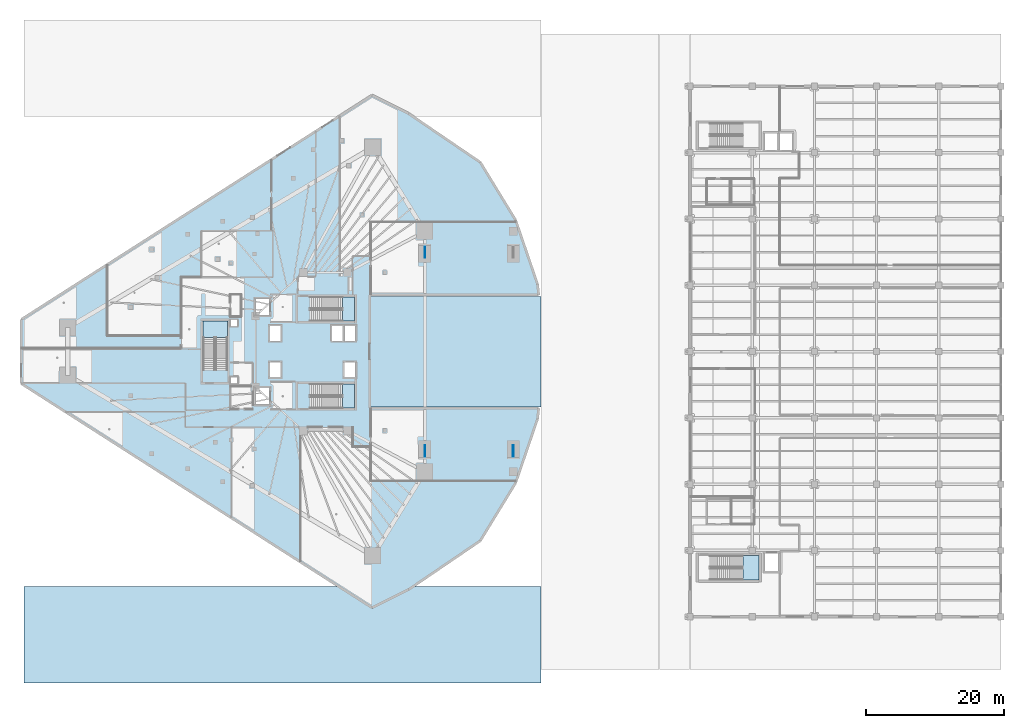
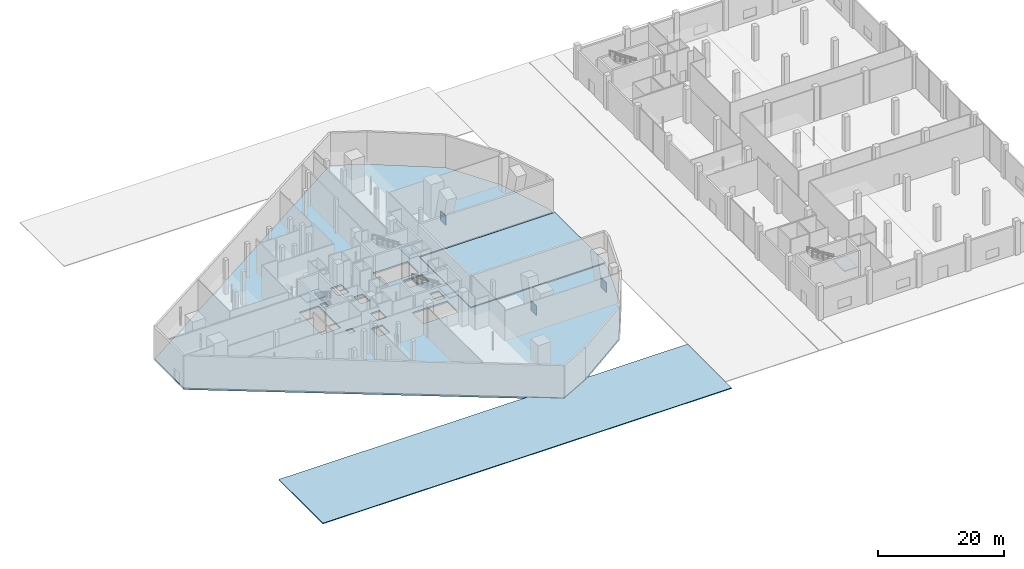
# One storey, part 23 of 45: 7 slabs, 3 plates, 4 elements without a shape of their own.
"""IFC4 building model written with IfcOpenShell, lengths in metres."""

from ifc_helpers import new_model, si_unit, direction, frame, origin, origin_2d, place, context, subcontext, project, spatial, polyline, rectangle, outline, extrude, material, layer, layer_set, type_object, element, aggregate, save


model = new_model("IFC4")

# Units and contexts
model_context = context("Model", 3, precision=1e-05, world=origin(), true_north=direction((0.0, 1.0)))
body_context = subcontext(model_context, "Body", "Model", "MODEL_VIEW")
ifc_project = project(units=[si_unit("LENGTHUNIT", "METRE"), si_unit("AREAUNIT", "SQUARE_METRE"), si_unit("VOLUMEUNIT", "CUBIC_METRE"), si_unit("PLANEANGLEUNIT", "RADIAN"), si_unit("MASSUNIT", "GRAM", prefix="KILO")], contexts=[model_context])

# Site, building, storey
site_placement = place(None, origin())
site = spatial("IfcSite", under=ifc_project, at=site_placement, CompositionType="ELEMENT")
building_placement = place(site_placement, origin())
building = spatial("IfcBuilding", under=site, at=building_placement, Name="Qorvath Tower", CompositionType="ELEMENT")
storey_placement = place(building_placement, origin())
storey = spatial("IfcBuildingStorey", under=building, at=storey_placement, Name="L00", CompositionType="ELEMENT", Elevation=0.0)

# Plates
ifc_material_1 = material(Name="Steel ASTM A572 Grade 50", Category="steel")
ifc_layer_1 = layer(ifc_material_1, 0.080078125)
ifc_layer_set_1 = layer_set([ifc_layer_1], Name="PL-AN1")
plate_type = type_object("IfcPlateType", Name="PL-AN1", PredefinedType="USERDEFINED", material=ifc_layer_set_1)
for number, where, z_axis, x_axis, name in (
    (1, (6.800048828125, -14.39990234375, 0.0), (0.0, 0.0, 1.0), (0.0, 1.0, 0.0), "Arch Haunch Node Gusset Plate ARCH-FRONT-S-L00"),
    (2, (-6.0, 14.39990234375, 0.0), (0.0, 0.0, 1.0), (0.0, 1.0, 0.0), "Arch Haunch Node Gusset Plate ARCH-INNER-N-L00"),
    (3, (-6.0, -14.39990234375, 0.0), (0.0, 0.0, 1.0), (0.0, 1.0, 0.0), "Arch Haunch Node Gusset Plate ARCH-INNER-S-L00"),
):
    element("IfcPlate", number, at=place(storey_placement, frame(where, z_axis=z_axis, x_axis=x_axis)), inside=storey, type_object=plate_type, Name=name, ObjectType="GUSSET", PredefinedType="USERDEFINED", context=body_context, shape_type="SweptSolid", body=[
        extrude(rectangle(XDim=1.60009765625, YDim=0.080078125, at=origin_2d()), origin(), (0.0, 0.0, 1.0), 1.800048828125),
    ])

# Slab
ifc_material_2 = material(Name="Concrete C50/60", Category="concrete")
ifc_layer_2 = layer(ifc_material_2, 0.300048828125)
ifc_layer_set_2 = layer_set([ifc_layer_2], Name="SL-L00-300")
slab_type_1 = type_object("IfcSlabType", Name="SL-L00-300", PredefinedType="FLOOR", material=ifc_layer_set_2)
slab_1_placement = place(storey_placement, frame((0.0, 0.0, -0.300048828125)))
element("IfcSlab", 4, at=slab_1_placement, inside=storey, type_object=slab_type_1, Name="Tower L00 Floor Slab", PredefinedType="FLOOR", context=body_context, shape_type="SweptSolid", body=[
    extrude(outline(polyline([(10.3125, -9.748779296875), (10.483154296875, -8.199951171875), (-14.0, -8.199951171875), (-14.0, 8.199951171875), (10.483154296875, 8.199951171875), (10.3125, 9.748779296875), (7.139404296875, 19.029052734375), (2.0205078125, 27.39501953125), (-8.3359375, 34.44482421875), (-13.63525390625, 37.094482421875), (-64.419189453125, 4.63671875), (-64.419189453125, -4.63671875), (-13.63525390625, -37.094482421875), (-8.3359375, -34.44482421875), (2.0205078125, -27.39501953125), (7.139404296875, -19.029052734375), (10.3125, -9.748779296875)]), holes=[polyline([(-17.64990234375, -3.699951171875), (-17.64990234375, -1.550048828125), (-16.050048828125, -1.550048828125), (-16.050048828125, -3.699951171875), (-17.64990234375, -3.699951171875)]), polyline([(-17.64990234375, 1.550048828125), (-17.64990234375, 3.699951171875), (-16.050048828125, 3.699951171875), (-16.050048828125, 1.550048828125), (-17.64990234375, 1.550048828125)]), polyline([(-16.2451171875, -8.199951171875), (-22.625, -8.199951171875), (-22.625, -4.68994140625), (-16.2451171875, -4.68994140625), (-16.2451171875, -8.199951171875)]), polyline([(-22.625, 4.39990234375), (-22.625, 7.909912109375), (-16.2451171875, 7.909912109375), (-16.2451171875, 4.39990234375), (-22.625, 4.39990234375)]), polyline([(-17.85009765625, 1.550048828125), (-19.449951171875, 1.550048828125), (-19.449951171875, 3.699951171875), (-17.85009765625, 3.699951171875), (-17.85009765625, 1.550048828125)]), polyline([(-28.449951171875, -3.699951171875), (-28.449951171875, -1.550048828125), (-26.85009765625, -1.550048828125), (-26.85009765625, -3.699951171875), (-28.449951171875, -3.699951171875)]), polyline([(-26.85009765625, 1.550048828125), (-28.449951171875, 1.550048828125), (-28.449951171875, 3.699951171875), (-26.85009765625, 3.699951171875), (-26.85009765625, 1.550048828125)]), polyline([(-28.5, -7.64990234375), (-30.5, -7.64990234375), (-30.5, -5.25), (-28.5, -5.25), (-28.5, -7.64990234375)]), polyline([(-30.5, 5.25), (-30.5, 7.64990234375), (-28.5, 7.64990234375), (-28.5, 5.25), (-30.5, 5.25)]), polyline([(-34.14990234375, -4.6201171875), (-34.14990234375, -3.64990234375), (-33.10009765625, -3.64990234375), (-33.10009765625, -4.6201171875), (-34.14990234375, -4.6201171875)]), polyline([(-34.14990234375, 3.64990234375), (-34.14990234375, 4.6201171875), (-33.10009765625, 4.6201171875), (-33.10009765625, 3.64990234375), (-34.14990234375, 3.64990234375)]), polyline([(-34.60009765625, -2.675048828125), (-38.110107421875, -2.675048828125), (-38.110107421875, 4.35498046875), (-34.60009765625, 4.35498046875), (-34.60009765625, -2.675048828125)])]), origin(), (0.0, 0.0, 1.0), 0.300048828125),
])

# Stair, slab
ifc_material_3 = material(Name="Concrete C50/60", Category="concrete")
stair_type = type_object("IfcStairType", Name="ST-H660", PredefinedType="HALF_TURN_STAIR", material=ifc_material_3)
stair_1_placement = place(storey_placement, origin())
stair_1 = element("IfcStair", 5, at=stair_1_placement, inside=storey, type_object=stair_type, Name="L00 Library Exit Stair 2", PredefinedType="HALF_TURN_STAIR")
ifc_material_4 = material(Name="Concrete C50/60", Category="concrete")
ifc_layer_3 = layer(ifc_material_4, 0.199951171875)
ifc_layer_set_3 = layer_set([ifc_layer_3], Name="SL-LND-200")
slab_type_2 = type_object("IfcSlabType", Name="SL-LND-200", PredefinedType="LANDING", material=ifc_layer_set_3)
slab_2_placement = place(storey_placement, frame((0.0, 0.0, 3.10009765625)))
slab_2 = element("IfcSlab", 6, at=slab_2_placement, type_object=slab_type_2, Name="LS2 landing 1", PredefinedType="LANDING", context=body_context, shape_type="SweptSolid", body=[
    extrude(outline(polyline([(40.0400390625, -33.050048828125), (42.39990234375, -33.050048828125), (42.39990234375, -29.5400390625), (40.0400390625, -29.5400390625), (40.0400390625, -33.050048828125)])), origin(), (0.0, 0.0, 1.0), 0.199951171875),
])
aggregate(stair_1, [slab_2])

stair_2_placement = place(storey_placement, origin())
stair_2 = element("IfcStair", 7, at=stair_2_placement, inside=storey, type_object=stair_type, Name="L00 Tower Exit Stair 1", PredefinedType="HALF_TURN_STAIR")
slab_3_placement = place(storey_placement, frame((0.0, 0.0, 3.10009765625)))
slab_3 = element("IfcSlab", 8, at=slab_3_placement, type_object=slab_type_2, Name="TS1 landing 1", PredefinedType="LANDING", context=body_context, shape_type="SweptSolid", body=[
    extrude(outline(polyline([(-17.909912109375, 4.39990234375), (-16.199951171875, 4.39990234375), (-16.199951171875, 7.909912109375), (-17.909912109375, 7.909912109375), (-17.909912109375, 4.39990234375)])), origin(), (0.0, 0.0, 1.0), 0.199951171875),
])
aggregate(stair_2, [slab_3])

stair_3_placement = place(storey_placement, origin())
stair_3 = element("IfcStair", 9, at=stair_3_placement, inside=storey, type_object=stair_type, Name="L00 Tower Exit Stair 2", PredefinedType="HALF_TURN_STAIR")
slab_4_placement = place(storey_placement, frame((0.0, 0.0, 3.10009765625)))
slab_4 = element("IfcSlab", 10, at=slab_4_placement, type_object=slab_type_2, Name="TS2 landing 1", PredefinedType="LANDING", context=body_context, shape_type="SweptSolid", body=[
    extrude(outline(polyline([(-17.909912109375, -8.199951171875), (-16.199951171875, -8.199951171875), (-16.199951171875, -4.68994140625), (-17.909912109375, -4.68994140625), (-17.909912109375, -8.199951171875)])), origin(), (0.0, 0.0, 1.0), 0.199951171875),
])
aggregate(stair_3, [slab_4])

stair_4_placement = place(storey_placement, origin())
stair_4 = element("IfcStair", 11, at=stair_4_placement, inside=storey, type_object=stair_type, Name="L00 Tower Exit Stair 3", PredefinedType="HALF_TURN_STAIR")
slab_5_placement = place(storey_placement, frame((0.0, 0.0, 3.10009765625)))
slab_5 = element("IfcSlab", 12, at=slab_5_placement, type_object=slab_type_2, Name="TS3 landing 1", PredefinedType="LANDING", context=body_context, shape_type="SweptSolid", body=[
    extrude(outline(polyline([(-34.60009765625, 2.0400390625), (-34.60009765625, 4.39990234375), (-38.110107421875, 4.39990234375), (-38.110107421875, 2.0400390625), (-34.60009765625, 2.0400390625)])), origin(), (0.0, 0.0, 1.0), 0.199951171875),
])
aggregate(stair_4, [slab_5])

# Slabs
ifc_material_5 = material(Name="Concrete C45/55", Category="concrete")
ifc_layer_4 = layer(ifc_material_5, 0.14990234375)
ifc_layer_set_4 = layer_set([ifc_layer_4], Name="SL-PAV-150")
slab_type_3 = type_object("IfcSlabType", Name="SL-PAV-150", PredefinedType="USERDEFINED", material=ifc_layer_set_4)
slab_6_placement = place(storey_placement, frame((0.0, 0.0, -0.14990234375)))
element("IfcSlab", 13, at=slab_6_placement, inside=storey, type_object=slab_type_3, Name="Civic Plaza Granite Paving W02", ObjectType="PAVING", PredefinedType="USERDEFINED", context=body_context, shape_type="SweptSolid", body=[
    extrude(outline(polyline([(10.800048828125, 8.0), (-13.949951171875, 8.0), (-13.949951171875, -8.0), (10.800048828125, -8.0), (10.800048828125, 8.0)])), origin(), (0.0, 0.0, 1.0), 0.14990234375),
])
slab_7_placement = place(storey_placement, frame((0.0, 0.0, -0.14990234375)))
element("IfcSlab", 14, at=slab_7_placement, inside=storey, type_object=slab_type_3, Name="Civic Plaza Granite Paving W04", ObjectType="PAVING", PredefinedType="USERDEFINED", context=body_context, shape_type="SweptSolid", body=[
    extrude(outline(polyline([(-18.569580078125, -34.0), (-64.0, -34.0), (-64.0, -48.0), (10.800048828125, -48.0), (10.800048828125, -34.0), (-7.59375, -34.0), (-8.313720703125, -34.489501953125), (-13.61279296875, -37.13916015625), (-13.64013671875, -37.14404296875), (-13.662109375, -37.136474609375), (-18.569580078125, -34.0)])), origin(), (0.0, 0.0, 1.0), 0.14990234375),
])

save(model, "model.ifc")
